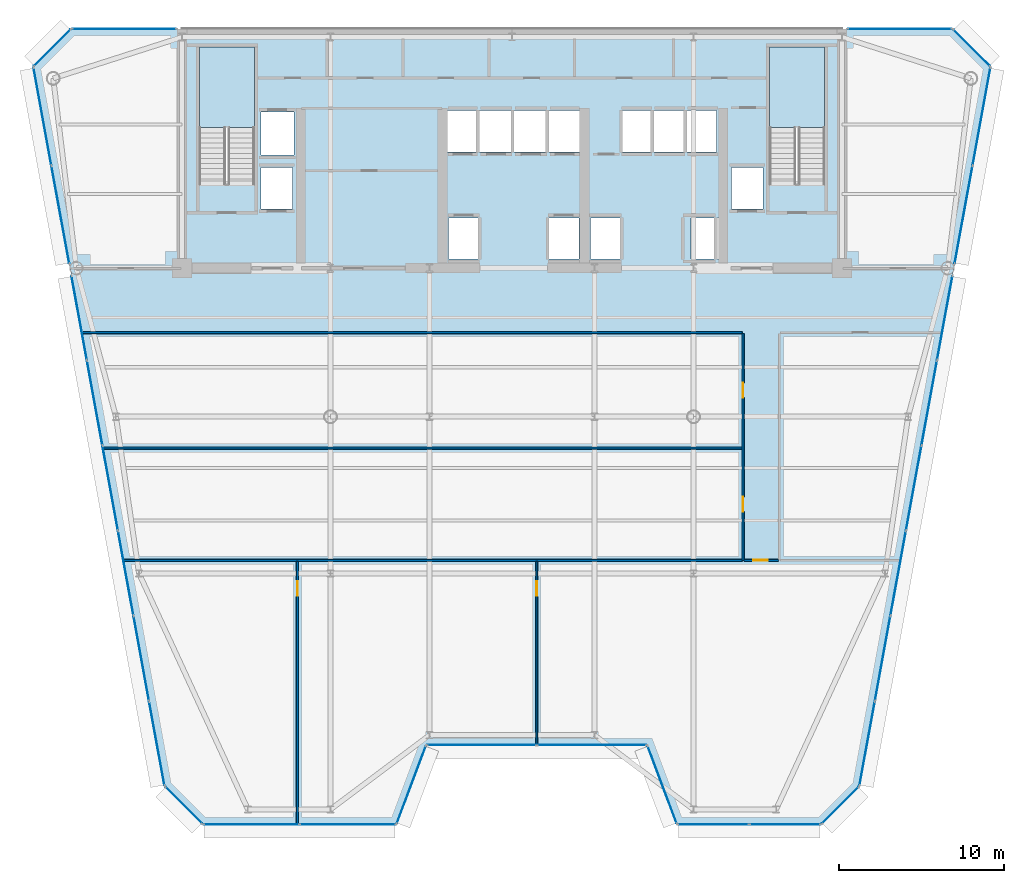
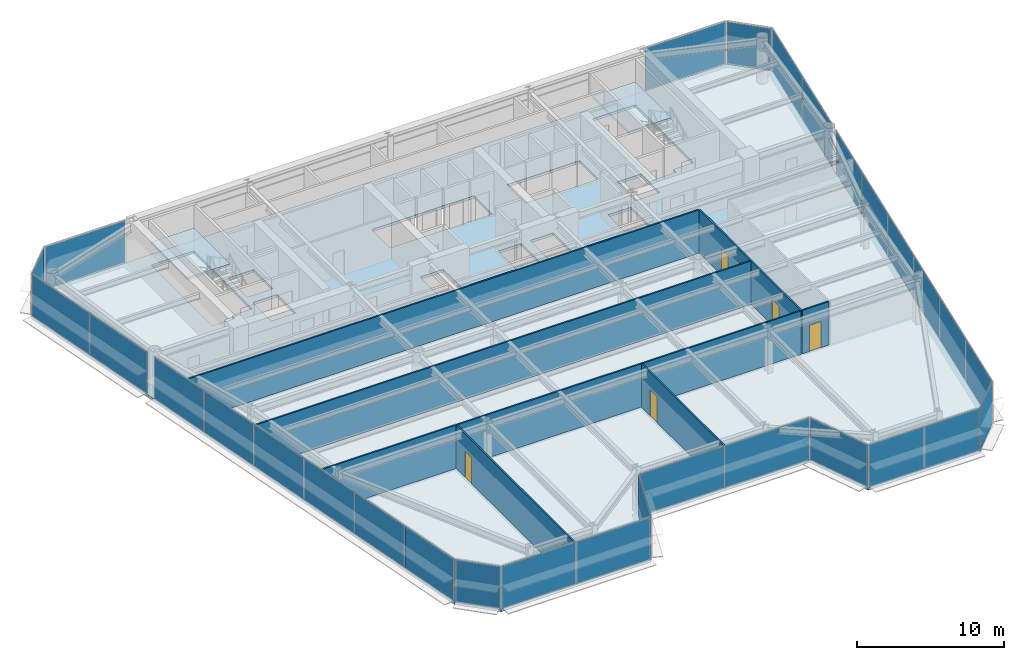
# One storey, part 10 of 17: 30 plates, 7 walls, 5 doors, 3 slabs, 5 openings, 17 elements without a shape of their own.
"""IFC4 building model written with IfcOpenShell, lengths in metres."""

from ifc_helpers import new_model, si_unit, direction, frame, frame_2d, origin, origin_2d, place, context, subcontext, project, spatial, polyline, rectangle, outline, extrude, source, transform, mapped, material, layer, layer_set, type_object, element, fill, aggregate, save


model = new_model("IFC4")

# Units and contexts
model_context = context("Model", 3, precision=1e-05, world=origin(), true_north=direction((0.0, 1.0)))
body_context = subcontext(model_context, "Body", "Model", "MODEL_VIEW")
ifc_project = project(units=[si_unit("LENGTHUNIT", "METRE"), si_unit("AREAUNIT", "SQUARE_METRE"), si_unit("VOLUMEUNIT", "CUBIC_METRE"), si_unit("PLANEANGLEUNIT", "RADIAN"), si_unit("MASSUNIT", "GRAM", prefix="KILO")], contexts=[model_context])

# Site, building, storey
site_placement = place(None, origin())
site = spatial("IfcSite", under=ifc_project, at=site_placement, CompositionType="ELEMENT")
building_placement = place(site_placement, origin())
building = spatial("IfcBuilding", under=site, at=building_placement, Name="Vaeldorn Concourse Tower", CompositionType="ELEMENT")
storey_placement = place(building_placement, frame((0.0, 0.0, 172.800048828125)))
storey = spatial("IfcBuildingStorey", under=building, at=storey_placement, Name="L44", CompositionType="ELEMENT", Elevation=172.800048828125)

# Stair, slab
ifc_material_1 = material(Name="Precast concrete C40/50", Category="concrete")
stair_type = type_object("IfcStairType", Name="STR-DOG-24x158", PredefinedType="HALF_TURN_STAIR", material=ifc_material_1)
stair_1_placement = place(storey_placement, origin())
stair_1 = element("IfcStair", 1, at=stair_1_placement, inside=storey, type_object=stair_type, Name="L44 West Core Exit Stair ST-1", PredefinedType="HALF_TURN_STAIR")
ifc_material_2 = material(Name="Concrete C40/50", Category="concrete")
ifc_layer_1 = layer(ifc_material_2, 0.199951171875)
ifc_layer_set_1 = layer_set([ifc_layer_1], Name="Concrete C40/50")
slab_type_1 = type_object("IfcSlabType", Name="SL-STAIR-LANDING", PredefinedType="LANDING", material=ifc_layer_set_1)
slab_1_placement = place(storey_placement, frame((0.0, 0.0, 1.699951171875)))
slab_1 = element("IfcSlab", 2, at=slab_1_placement, type_object=slab_type_1, Name="ST-1 landing 1", PredefinedType="LANDING", context=body_context, shape_type="SweptSolid", body=[
    extrude(outline(polyline([(18.39990234375, 45.010009765625), (18.39990234375, 49.89990234375), (15.050048828125, 49.89990234375), (15.050048828125, 45.010009765625), (18.39990234375, 45.010009765625)])), origin(), (0.0, 0.0, 1.0), 0.199951171875),
])
aggregate(stair_1, [slab_1])

stair_2_placement = place(storey_placement, origin())
stair_2 = element("IfcStair", 3, at=stair_2_placement, inside=storey, type_object=stair_type, Name="L44 East Core Exit Stair ST-2", PredefinedType="HALF_TURN_STAIR")
slab_2_placement = place(storey_placement, frame((0.0, 0.0, 1.699951171875)))
slab_2 = element("IfcSlab", 4, at=slab_2_placement, type_object=slab_type_1, Name="ST-2 landing 1", PredefinedType="LANDING", context=body_context, shape_type="SweptSolid", body=[
    extrude(outline(polyline([(52.949951171875, 45.010009765625), (52.949951171875, 49.89990234375), (49.60009765625, 49.89990234375), (49.60009765625, 45.010009765625), (52.949951171875, 45.010009765625)])), origin(), (0.0, 0.0, 1.0), 0.199951171875),
])
aggregate(stair_2, [slab_2])

# Slab
ifc_layer_2 = layer(ifc_material_2, 0.219970703125)
ifc_layer_set_2 = layer_set([ifc_layer_2], Name="Concrete C40/50")
slab_type_2 = type_object("IfcSlabType", Name="SL-TYP-220", PredefinedType="FLOOR", material=ifc_layer_set_2)
slab_3_placement = place(storey_placement, frame((0.0, 0.0, -0.219970703125)))
element("IfcSlab", 5, at=slab_3_placement, inside=storey, type_object=slab_type_2, Name="Structural Floor Slab L44", PredefinedType="FLOOR", context=body_context, shape_type="SweptSolid", body=[
    extrude(outline(polyline([(15.2529296875, 2.800048828125), (27.0, 2.800048828125), (28.800048828125, 7.60009765625), (42.199951171875, 7.60009765625), (44.0, 2.800048828125), (52.7470703125, 2.800048828125), (55.047119140625, 5.10009765625), (63.0, 48.699951171875), (60.699951171875, 51.0), (7.300048828125, 51.0), (5.0, 48.699951171875), (12.952880859375, 5.10009765625), (15.2529296875, 2.800048828125)]), holes=[polyline([(18.39990234375, 42.0), (18.39990234375, 49.89990234375), (15.050048828125, 49.89990234375), (15.050048828125, 41.60009765625), (16.800048828125, 41.60009765625), (16.800048828125, 42.0), (18.39990234375, 42.0)]), polyline([(52.949951171875, 42.0), (52.949951171875, 49.89990234375), (49.60009765625, 49.89990234375), (49.60009765625, 41.60009765625), (51.35009765625, 41.60009765625), (51.35009765625, 42.0), (52.949951171875, 42.0)]), polyline([(30.14990234375, 37.050048828125), (31.949951171875, 37.050048828125), (31.949951171875, 39.550048828125), (30.14990234375, 39.550048828125), (30.14990234375, 37.050048828125)]), polyline([(36.25, 37.050048828125), (38.050048828125, 37.050048828125), (38.050048828125, 39.550048828125), (36.25, 39.550048828125), (36.25, 37.050048828125)]), polyline([(30.10009765625, 43.550048828125), (38.10009765625, 43.550048828125), (38.10009765625, 46.050048828125), (30.10009765625, 46.050048828125), (30.10009765625, 43.550048828125)]), polyline([(38.75, 37.050048828125), (40.550048828125, 37.050048828125), (40.550048828125, 39.550048828125), (38.75, 39.550048828125), (38.75, 37.050048828125)]), polyline([(44.85009765625, 37.050048828125), (46.64990234375, 37.050048828125), (46.64990234375, 39.550048828125), (44.85009765625, 39.550048828125), (44.85009765625, 37.050048828125)]), polyline([(40.699951171875, 43.550048828125), (46.39990234375, 43.550048828125), (46.39990234375, 46.050048828125), (40.699951171875, 46.050048828125), (40.699951171875, 43.550048828125)]), polyline([(18.800048828125, 43.35009765625), (20.800048828125, 43.35009765625), (20.800048828125, 45.949951171875), (18.800048828125, 45.949951171875), (18.800048828125, 43.35009765625)]), polyline([(18.800048828125, 40.10009765625), (20.699951171875, 40.10009765625), (20.699951171875, 42.60009765625), (18.800048828125, 42.60009765625), (18.800048828125, 40.10009765625)]), polyline([(47.300048828125, 40.10009765625), (49.199951171875, 40.10009765625), (49.199951171875, 42.60009765625), (47.300048828125, 42.60009765625), (47.300048828125, 40.10009765625)])]), origin(), (0.0, 0.0, 1.0), 0.219970703125),
])

# Curtain wall, plate
ifc_material_3 = material(Name="Anodised Bronze Aluminium", Category="aluminium")
ifc_layer_3 = layer(ifc_material_3, 0.18994140625)
ifc_layer_set_3 = layer_set([ifc_layer_3], Name="Anodised Bronze Aluminium")
curtain_wall_type = type_object("IfcCurtainWallType", Name="CW-SYS-03", PredefinedType="NOTDEFINED", material=ifc_layer_set_3)
curtain_wall_1_placement = place(storey_placement, origin())
curtain_wall_1 = element("IfcCurtainWall", 6, at=curtain_wall_1_placement, inside=storey, type_object=curtain_wall_type, Name="Unitised Curtain Wall CW-L44-E02-1", PredefinedType="NOTDEFINED")
ifc_material_4 = material(Name="Bronze Tinted Low-E Insulated Glass", Category="glass")
ifc_layer_4 = layer(ifc_material_4, 0.031982421875)
ifc_layer_set_4 = layer_set([ifc_layer_4], Name="Bronze Tinted Low-E Insulated Glass")
plate_type = type_object("IfcPlateType", Name="CWP-VISION-32", PredefinedType="CURTAIN_PANEL", material=ifc_layer_set_4)
shared_shape_1 = source(origin(), body_context, "Body", "SweptSolid", [
    extrude(rectangle(XDim=4.996337890625, YDim=0.031982421875, at=origin_2d()), origin(), (0.0, 0.0, 1.0), 3.449951171875),
])
plate_1_placement = place(storey_placement, frame((27.89990234375, 5.199951171875, 0.06494140625), z_axis=(0.0, 0.0, 1.0), x_axis=(0.351123441595, 0.936329177566, 0.0)))
plate_1 = element("IfcPlate", 7, at=plate_1_placement, type_object=plate_type, Name="CW-03 panel 1.1", PredefinedType="CURTAIN_PANEL", context=body_context, shape_type="MappedRepresentation", body=[
    mapped(shared_shape_1, transform((0.0, 0.0, 0.0), scale=1.0)),
])
aggregate(curtain_wall_1, [plate_1])

curtain_wall_2_placement = place(storey_placement, origin())
curtain_wall_2 = element("IfcCurtainWall", 8, at=curtain_wall_2_placement, inside=storey, type_object=curtain_wall_type, Name="Unitised Curtain Wall CW-L44-E04-1", PredefinedType="NOTDEFINED")
plate_2_placement = place(storey_placement, frame((43.10009765625, 5.199951171875, 0.06494140625), z_axis=(0.0, 0.0, 1.0), x_axis=(0.351123441595, -0.936329177566, 0.0)))
plate_2 = element("IfcPlate", 9, at=plate_2_placement, type_object=plate_type, Name="CW-03 panel 1.1", PredefinedType="CURTAIN_PANEL", context=body_context, shape_type="MappedRepresentation", body=[
    mapped(shared_shape_1, transform((0.0, 0.0, 0.0), scale=1.0)),
])
aggregate(curtain_wall_2, [plate_2])

# Curtain wall, plates
curtain_wall_3_placement = place(storey_placement, origin())
curtain_wall_3 = element("IfcCurtainWall", 10, at=curtain_wall_3_placement, inside=storey, type_object=curtain_wall_type, Name="Unitised Curtain Wall CW-L44-E03-1", PredefinedType="NOTDEFINED")
shared_shape_2 = source(origin(), body_context, "Body", "SweptSolid", [
    extrude(rectangle(XDim=6.6025390625, YDim=0.031982421875, at=origin_2d()), origin(), (0.0, 0.0, 1.0), 3.449951171875),
])
plate_3_placement = place(storey_placement, frame((32.166259765625, 7.60009765625, 0.06494140625), z_axis=(0.0, 0.0, 1.0), x_axis=(1.0, 0.0, 0.0)))
plate_3 = element("IfcPlate", 11, at=plate_3_placement, type_object=plate_type, Name="CW-03 panel 1.1", PredefinedType="CURTAIN_PANEL", context=body_context, shape_type="MappedRepresentation", body=[
    mapped(shared_shape_2, transform((0.0, 0.0, 0.0), scale=1.0)),
])
plate_4_placement = place(storey_placement, frame((38.833740234375, 7.60009765625, 0.06494140625), z_axis=(0.0, 0.0, 1.0), x_axis=(1.0, 0.0, 0.0)))
plate_4 = element("IfcPlate", 12, at=plate_4_placement, type_object=plate_type, Name="CW-03 panel 2.1", PredefinedType="CURTAIN_PANEL", context=body_context, shape_type="MappedRepresentation", body=[
    mapped(shared_shape_2, transform((0.0, 0.0, 0.0), scale=1.0)),
])
aggregate(curtain_wall_3, [plate_3, plate_4])

# Curtain wall, plate
curtain_wall_4_placement = place(storey_placement, origin())
curtain_wall_4 = element("IfcCurtainWall", 13, at=curtain_wall_4_placement, inside=storey, type_object=curtain_wall_type, Name="Unitised Curtain Wall CW-L44-E06-1", PredefinedType="NOTDEFINED")
shared_shape_3 = source(origin(), body_context, "Body", "SweptSolid", [
    extrude(rectangle(XDim=3.122802734375, YDim=0.031982421875, at=origin_2d()), origin(), (0.0, 0.0, 1.0), 3.449951171875),
])
plate_5_placement = place(storey_placement, frame((53.89697265625, 3.949951171875, 0.06494140625), z_axis=(0.0, 0.0, 1.0), x_axis=(0.707106781187, 0.707106781187, 0.0)))
plate_5 = element("IfcPlate", 14, at=plate_5_placement, type_object=plate_type, Name="CW-03 panel 1.1", PredefinedType="CURTAIN_PANEL", context=body_context, shape_type="MappedRepresentation", body=[
    mapped(shared_shape_3, transform((0.0, 0.0, 0.0), scale=1.0)),
])
aggregate(curtain_wall_4, [plate_5])

curtain_wall_5_placement = place(storey_placement, origin())
curtain_wall_5 = element("IfcCurtainWall", 15, at=curtain_wall_5_placement, inside=storey, type_object=curtain_wall_type, Name="Unitised Curtain Wall CW-L44-E08-1", PredefinedType="NOTDEFINED")
plate_6_placement = place(storey_placement, frame((61.85009765625, 49.85009765625, 0.06494140625), z_axis=(0.0, 0.0, 1.0), x_axis=(-0.707106781187, 0.707106781187, 0.0)))
plate_6 = element("IfcPlate", 16, at=plate_6_placement, type_object=plate_type, Name="CW-03 panel 1.1", PredefinedType="CURTAIN_PANEL", context=body_context, shape_type="MappedRepresentation", body=[
    mapped(shared_shape_3, transform((0.0, 0.0, 0.0), scale=1.0)),
])
aggregate(curtain_wall_5, [plate_6])

curtain_wall_6_placement = place(storey_placement, origin())
curtain_wall_6 = element("IfcCurtainWall", 17, at=curtain_wall_6_placement, inside=storey, type_object=curtain_wall_type, Name="Unitised Curtain Wall CW-L44-E10-1", PredefinedType="NOTDEFINED")
plate_7_placement = place(storey_placement, frame((6.14990234375, 49.85009765625, 0.06494140625), z_axis=(0.0, 0.0, 1.0), x_axis=(-0.707106781187, -0.707106781187, 0.0)))
plate_7 = element("IfcPlate", 18, at=plate_7_placement, type_object=plate_type, Name="CW-03 panel 1.1", PredefinedType="CURTAIN_PANEL", context=body_context, shape_type="MappedRepresentation", body=[
    mapped(shared_shape_3, transform((0.0, 0.0, 0.0), scale=1.0)),
])
aggregate(curtain_wall_6, [plate_7])

curtain_wall_7_placement = place(storey_placement, origin())
curtain_wall_7 = element("IfcCurtainWall", 19, at=curtain_wall_7_placement, inside=storey, type_object=curtain_wall_type, Name="Unitised Curtain Wall CW-L44-E12-1", PredefinedType="NOTDEFINED")
plate_8_placement = place(storey_placement, frame((14.10302734375, 3.949951171875, 0.06494140625), z_axis=(0.0, 0.0, 1.0), x_axis=(0.707106781187, -0.707106781187, 0.0)))
plate_8 = element("IfcPlate", 20, at=plate_8_placement, type_object=plate_type, Name="CW-03 panel 1.1", PredefinedType="CURTAIN_PANEL", context=body_context, shape_type="MappedRepresentation", body=[
    mapped(shared_shape_3, transform((0.0, 0.0, 0.0), scale=1.0)),
])
aggregate(curtain_wall_7, [plate_8])

# Curtain wall, plates
curtain_wall_8_placement = place(storey_placement, origin())
curtain_wall_8 = element("IfcCurtainWall", 21, at=curtain_wall_8_placement, inside=storey, type_object=curtain_wall_type, Name="Unitised Curtain Wall CW-L44-E01-1", PredefinedType="NOTDEFINED")
shared_shape_4 = source(origin(), body_context, "Body", "SweptSolid", [
    extrude(rectangle(XDim=5.77587890625, YDim=0.031982421875, at=origin_2d()), origin(), (0.0, 0.0, 1.0), 3.449951171875),
])
plate_9_placement = place(storey_placement, frame((18.2060546875, 2.800048828125, 0.06494140625), z_axis=(0.0, 0.0, 1.0), x_axis=(1.0, 0.0, 0.0)))
plate_9 = element("IfcPlate", 22, at=plate_9_placement, type_object=plate_type, Name="CW-03 panel 1.1", PredefinedType="CURTAIN_PANEL", context=body_context, shape_type="MappedRepresentation", body=[
    mapped(shared_shape_4, transform((0.0, 0.0, 0.0), scale=1.0)),
])
plate_10_placement = place(storey_placement, frame((24.047119140625, 2.800048828125, 0.06494140625), z_axis=(0.0, 0.0, 1.0), x_axis=(1.0, 0.0, 0.0)))
plate_10 = element("IfcPlate", 23, at=plate_10_placement, type_object=plate_type, Name="CW-03 panel 2.1", PredefinedType="CURTAIN_PANEL", context=body_context, shape_type="MappedRepresentation", body=[
    mapped(shared_shape_4, transform((0.0, 0.0, 0.0), scale=1.0)),
])
aggregate(curtain_wall_8, [plate_9, plate_10])

curtain_wall_9_placement = place(storey_placement, origin())
curtain_wall_9 = element("IfcCurtainWall", 24, at=curtain_wall_9_placement, inside=storey, type_object=curtain_wall_type, Name="Unitised Curtain Wall CW-L44-E05-1", PredefinedType="NOTDEFINED")
shared_shape_5 = source(origin(), body_context, "Body", "SweptSolid", [
    extrude(rectangle(XDim=4.27587890625, YDim=0.031982421875, at=origin_2d()), origin(), (0.0, 0.0, 1.0), 3.449951171875),
])
plate_11_placement = place(storey_placement, frame((46.202880859375, 2.800048828125, 0.06494140625), z_axis=(0.0, 0.0, 1.0), x_axis=(1.0, 0.0, 0.0)))
plate_11 = element("IfcPlate", 25, at=plate_11_placement, type_object=plate_type, Name="CW-03 panel 1.1", PredefinedType="CURTAIN_PANEL", context=body_context, shape_type="MappedRepresentation", body=[
    mapped(shared_shape_5, transform((0.0, 0.0, 0.0), scale=1.0)),
])
plate_12_placement = place(storey_placement, frame((50.5439453125, 2.800048828125, 0.06494140625), z_axis=(0.0, 0.0, 1.0), x_axis=(1.0, 0.0, 0.0)))
plate_12 = element("IfcPlate", 26, at=plate_12_placement, type_object=plate_type, Name="CW-03 panel 2.1", PredefinedType="CURTAIN_PANEL", context=body_context, shape_type="MappedRepresentation", body=[
    mapped(shared_shape_5, transform((0.0, 0.0, 0.0), scale=1.0)),
])
aggregate(curtain_wall_9, [plate_11, plate_12])

curtain_wall_10_placement = place(storey_placement, origin())
curtain_wall_10 = element("IfcCurtainWall", 27, at=curtain_wall_10_placement, inside=storey, type_object=curtain_wall_type, Name="Unitised Curtain Wall CW-L44-E07-1", PredefinedType="NOTDEFINED")
shared_shape_6 = source(origin(), body_context, "Body", "SweptSolid", [
    extrude(rectangle(XDim=5.151611328125, YDim=0.031982421875, at=origin_2d()), origin(), (0.0, 0.0, 1.0), 3.449951171875),
])
plate_13_placement = place(storey_placement, frame((55.52099609375, 7.697998046875, 0.06494140625), z_axis=(0.0, 0.0, 1.0), x_axis=(0.179445909331, 0.983767841325, 0.0)))
plate_13 = element("IfcPlate", 28, at=plate_13_placement, type_object=plate_type, Name="CW-03 panel 1.1", PredefinedType="CURTAIN_PANEL", context=body_context, shape_type="MappedRepresentation", body=[
    mapped(shared_shape_6, transform((0.0, 0.0, 0.0), scale=1.0)),
])
plate_14_placement = place(storey_placement, frame((60.224609375, 33.485595703125, 0.06494140625), z_axis=(0.0, 0.0, 1.0), x_axis=(0.179445909331, 0.983767841325, 0.0)))
plate_14 = element("IfcPlate", 29, at=plate_14_placement, type_object=plate_type, Name="CW-03 panel 6.1", PredefinedType="CURTAIN_PANEL", context=body_context, shape_type="MappedRepresentation", body=[
    mapped(shared_shape_6, transform((0.0, 0.0, 0.0), scale=1.0)),
])

curtain_wall_11_placement = place(storey_placement, origin())
curtain_wall_11 = element("IfcCurtainWall", 30, at=curtain_wall_11_placement, inside=storey, type_object=curtain_wall_type, Name="Unitised Curtain Wall CW-L44-E11-2", PredefinedType="NOTDEFINED")
plate_15_placement = place(storey_placement, frame((7.775390625, 33.485595703125, 0.06494140625), z_axis=(0.0, 0.0, 1.0), x_axis=(0.179445909331, -0.983767841325, 0.0)))
plate_15 = element("IfcPlate", 31, at=plate_15_placement, type_object=plate_type, Name="CW-03 panel 1.1", PredefinedType="CURTAIN_PANEL", context=body_context, shape_type="MappedRepresentation", body=[
    mapped(shared_shape_6, transform((0.0, 0.0, 0.0), scale=1.0)),
])
plate_16_placement = place(storey_placement, frame((12.47900390625, 7.697998046875, 0.06494140625), z_axis=(0.0, 0.0, 1.0), x_axis=(0.179445909331, -0.983767841325, 0.0)))
plate_16 = element("IfcPlate", 32, at=plate_16_placement, type_object=plate_type, Name="CW-03 panel 6.1", PredefinedType="CURTAIN_PANEL", context=body_context, shape_type="MappedRepresentation", body=[
    mapped(shared_shape_6, transform((0.0, 0.0, 0.0), scale=1.0)),
])

# Plate
shared_shape_7 = source(origin(), body_context, "Body", "SweptSolid", [
    extrude(rectangle(XDim=5.18408203125, YDim=0.031982421875, at=origin_2d()), origin(), (0.0, 0.0, 1.0), 3.449951171875),
])
plate_17_placement = place(storey_placement, frame((56.4599609375, 12.845947265625, 0.06494140625), z_axis=(0.0, 0.0, 1.0), x_axis=(0.179445909331, 0.983767841325, 0.0)))
plate_17 = element("IfcPlate", 33, at=plate_17_placement, type_object=plate_type, Name="CW-03 panel 2.1", PredefinedType="CURTAIN_PANEL", context=body_context, shape_type="MappedRepresentation", body=[
    mapped(shared_shape_7, transform((0.0, 0.0, 0.0), scale=1.0)),
])

plate_18_placement = place(storey_placement, frame((57.40185546875, 18.009765625, 0.06494140625), z_axis=(0.0, 0.0, 1.0), x_axis=(0.179445909331, 0.983767841325, 0.0)))
plate_18 = element("IfcPlate", 34, at=plate_18_placement, type_object=plate_type, Name="CW-03 panel 3.1", PredefinedType="CURTAIN_PANEL", context=body_context, shape_type="MappedRepresentation", body=[
    mapped(shared_shape_7, transform((0.0, 0.0, 0.0), scale=1.0)),
])

plate_19_placement = place(storey_placement, frame((58.34375, 23.173828125, 0.06494140625), z_axis=(0.0, 0.0, 1.0), x_axis=(0.179445909331, 0.983767841325, 0.0)))
plate_19 = element("IfcPlate", 35, at=plate_19_placement, type_object=plate_type, Name="CW-03 panel 4.1", PredefinedType="CURTAIN_PANEL", context=body_context, shape_type="MappedRepresentation", body=[
    mapped(shared_shape_7, transform((0.0, 0.0, 0.0), scale=1.0)),
])

plate_20_placement = place(storey_placement, frame((59.28564453125, 28.337646484375, 0.06494140625), z_axis=(0.0, 0.0, 1.0), x_axis=(0.179445909331, 0.983767841325, 0.0)))
plate_20 = element("IfcPlate", 36, at=plate_20_placement, type_object=plate_type, Name="CW-03 panel 5.1", PredefinedType="CURTAIN_PANEL", context=body_context, shape_type="MappedRepresentation", body=[
    mapped(shared_shape_7, transform((0.0, 0.0, 0.0), scale=1.0)),
])

aggregate(curtain_wall_10, [plate_13, plate_17, plate_18, plate_19, plate_20, plate_14])

plate_21_placement = place(storey_placement, frame((8.71435546875, 28.337646484375, 0.06494140625), z_axis=(0.0, 0.0, 1.0), x_axis=(0.179445909331, -0.983767841325, 0.0)))
plate_21 = element("IfcPlate", 37, at=plate_21_placement, type_object=plate_type, Name="CW-03 panel 2.1", PredefinedType="CURTAIN_PANEL", context=body_context, shape_type="MappedRepresentation", body=[
    mapped(shared_shape_7, transform((0.0, 0.0, 0.0), scale=1.0)),
])

plate_22_placement = place(storey_placement, frame((9.65625, 23.173828125, 0.06494140625), z_axis=(0.0, 0.0, 1.0), x_axis=(0.179445909331, -0.983767841325, 0.0)))
plate_22 = element("IfcPlate", 38, at=plate_22_placement, type_object=plate_type, Name="CW-03 panel 3.1", PredefinedType="CURTAIN_PANEL", context=body_context, shape_type="MappedRepresentation", body=[
    mapped(shared_shape_7, transform((0.0, 0.0, 0.0), scale=1.0)),
])

plate_23_placement = place(storey_placement, frame((10.59814453125, 18.009765625, 0.06494140625), z_axis=(0.0, 0.0, 1.0), x_axis=(0.179445909331, -0.983767841325, 0.0)))
plate_23 = element("IfcPlate", 39, at=plate_23_placement, type_object=plate_type, Name="CW-03 panel 4.1", PredefinedType="CURTAIN_PANEL", context=body_context, shape_type="MappedRepresentation", body=[
    mapped(shared_shape_7, transform((0.0, 0.0, 0.0), scale=1.0)),
])

plate_24_placement = place(storey_placement, frame((11.5400390625, 12.845947265625, 0.06494140625), z_axis=(0.0, 0.0, 1.0), x_axis=(0.179445909331, -0.983767841325, 0.0)))
plate_24 = element("IfcPlate", 40, at=plate_24_placement, type_object=plate_type, Name="CW-03 panel 5.1", PredefinedType="CURTAIN_PANEL", context=body_context, shape_type="MappedRepresentation", body=[
    mapped(shared_shape_7, transform((0.0, 0.0, 0.0), scale=1.0)),
])

aggregate(curtain_wall_11, [plate_15, plate_21, plate_22, plate_23, plate_24, plate_16])

# Curtain wall, plates
curtain_wall_12_placement = place(storey_placement, origin())
curtain_wall_12 = element("IfcCurtainWall", 41, at=curtain_wall_12_placement, inside=storey, type_object=curtain_wall_type, Name="Unitised Curtain Wall CW-L44-E07-2", PredefinedType="NOTDEFINED")
shared_shape_8 = source(origin(), body_context, "Body", "SweptSolid", [
    extrude(rectangle(XDim=5.986572265625, YDim=0.031982421875, at=origin_2d()), origin(), (0.0, 0.0, 1.0), 3.449951171875),
])
plate_25_placement = place(storey_placement, frame((61.365234375, 39.73828125, 0.06494140625), z_axis=(0.0, 0.0, 1.0), x_axis=(0.179447345892, 0.983767579285, 0.0)))
plate_25 = element("IfcPlate", 42, at=plate_25_placement, type_object=plate_type, Name="CW-03 panel 1.1", PredefinedType="CURTAIN_PANEL", context=body_context, shape_type="MappedRepresentation", body=[
    mapped(shared_shape_8, transform((0.0, 0.0, 0.0), scale=1.0)),
])
plate_26_placement = place(storey_placement, frame((62.451171875, 45.69140625, 0.06494140625), z_axis=(0.0, 0.0, 1.0), x_axis=(0.179447345892, 0.983767579285, 0.0)))
plate_26 = element("IfcPlate", 43, at=plate_26_placement, type_object=plate_type, Name="CW-03 panel 2.1", PredefinedType="CURTAIN_PANEL", context=body_context, shape_type="MappedRepresentation", body=[
    mapped(shared_shape_8, transform((0.0, 0.0, 0.0), scale=1.0)),
])
aggregate(curtain_wall_12, [plate_25, plate_26])

curtain_wall_13_placement = place(storey_placement, origin())
curtain_wall_13 = element("IfcCurtainWall", 44, at=curtain_wall_13_placement, inside=storey, type_object=curtain_wall_type, Name="Unitised Curtain Wall CW-L44-E11-1", PredefinedType="NOTDEFINED")
plate_27_placement = place(storey_placement, frame((5.548828125, 45.69140625, 0.06494140625), z_axis=(0.0, 0.0, 1.0), x_axis=(0.179447345892, -0.983767579285, 0.0)))
plate_27 = element("IfcPlate", 45, at=plate_27_placement, type_object=plate_type, Name="CW-03 panel 1.1", PredefinedType="CURTAIN_PANEL", context=body_context, shape_type="MappedRepresentation", body=[
    mapped(shared_shape_8, transform((0.0, 0.0, 0.0), scale=1.0)),
])
plate_28_placement = place(storey_placement, frame((6.634765625, 39.73828125, 0.06494140625), z_axis=(0.0, 0.0, 1.0), x_axis=(0.179447345892, -0.983767579285, 0.0)))
plate_28 = element("IfcPlate", 46, at=plate_28_placement, type_object=plate_type, Name="CW-03 panel 2.1", PredefinedType="CURTAIN_PANEL", context=body_context, shape_type="MappedRepresentation", body=[
    mapped(shared_shape_8, transform((0.0, 0.0, 0.0), scale=1.0)),
])
aggregate(curtain_wall_13, [plate_27, plate_28])

# Curtain wall, plate
curtain_wall_14_placement = place(storey_placement, origin())
curtain_wall_14 = element("IfcCurtainWall", 47, at=curtain_wall_14_placement, inside=storey, type_object=curtain_wall_type, Name="Unitised Curtain Wall CW-L44-E09-1", PredefinedType="NOTDEFINED")
shared_shape_9 = source(origin(), body_context, "Body", "SweptSolid", [
    extrude(rectangle(XDim=6.27490234375, YDim=0.031982421875, at=origin_2d()), origin(), (0.0, 0.0, 1.0), 3.449951171875),
])
plate_29_placement = place(storey_placement, frame((57.49755859375, 51.0, 0.06494140625), z_axis=(0.0, 0.0, 1.0), x_axis=(-1.0, 0.0, 0.0)))
plate_29 = element("IfcPlate", 48, at=plate_29_placement, type_object=plate_type, Name="CW-03 panel 1.1", PredefinedType="CURTAIN_PANEL", context=body_context, shape_type="MappedRepresentation", body=[
    mapped(shared_shape_9, transform((0.0, 0.0, 0.0), scale=1.0)),
])
aggregate(curtain_wall_14, [plate_29])

curtain_wall_15_placement = place(storey_placement, origin())
curtain_wall_15 = element("IfcCurtainWall", 49, at=curtain_wall_15_placement, inside=storey, type_object=curtain_wall_type, Name="Unitised Curtain Wall CW-L44-E09-2", PredefinedType="NOTDEFINED")
plate_30_placement = place(storey_placement, frame((10.50244140625, 51.0, 0.06494140625), z_axis=(0.0, 0.0, 1.0), x_axis=(-1.0, 0.0, 0.0)))
plate_30 = element("IfcPlate", 50, at=plate_30_placement, type_object=plate_type, Name="CW-03 panel 1.1", PredefinedType="CURTAIN_PANEL", context=body_context, shape_type="MappedRepresentation", body=[
    mapped(shared_shape_9, transform((0.0, 0.0, 0.0), scale=1.0)),
])
aggregate(curtain_wall_15, [plate_30])

# Wall
ifc_material_5 = material(Name="Gypsum Board Partition", Category="gypsum")
ifc_layer_5 = layer(ifc_material_5, 0.1201171875)
ifc_layer_set_5 = layer_set([ifc_layer_5], Name="Gypsum Board Partition")
wall_type = type_object("IfcWallType", Name="WL-PART-120", PredefinedType="PARTITIONING", material=ifc_layer_set_5)
wall_1_placement = place(storey_placement, frame((7.976806640625, 32.60009765625, 0.0), z_axis=(0.0, 0.0, 1.0), x_axis=(1.0, 0.0, 0.0)))
element("IfcWall", 51, at=wall_1_placement, inside=storey, type_object=wall_type, Name="Interior Wall PW-L44-C2SW", PredefinedType="PARTITIONING", context=body_context, shape_type="SweptSolid", body=[
    extrude(rectangle(XDim=39.963134765625, YDim=0.1201171875, at=frame_2d((19.9814453125, 0.0))), origin(), (0.0, 0.0, 1.0), 3.579833984375),
])

# Wall, openings, doors
wall_2_placement = place(storey_placement, frame((48.0, 18.800048828125, 0.0), z_axis=(0.0, 0.0, 1.0), x_axis=(0.0, 1.0, 0.0)))
wall_2 = element("IfcWall", 52, at=wall_2_placement, inside=storey, type_object=wall_type, Name="Interior Wall PW-L44-SP2W", PredefinedType="PARTITIONING", context=body_context, shape_type="SweptSolid", body=[
    extrude(rectangle(XDim=13.739990234375, YDim=0.1201171875, at=frame_2d((6.8701171875, 0.0))), origin(), (0.0, 0.0, 1.0), 3.579833984375),
])
opening_1_placement = place(wall_2_placement, frame((2.949951171875, 0.0, 0.0)))
opening_1 = element("IfcOpeningElement", 53, at=opening_1_placement, cuts=wall_2, Name="Opening D-03", PredefinedType="OPENING", context=body_context, shape_type="SweptSolid", body=[
    extrude(rectangle(XDim=0.89990234375, YDim=2.14990234375, at=frame_2d((0.449951171875, 1.074951171875))), frame((0.0, 0.070068359375, 0.0), z_axis=(0.0, -1.0, 0.0), x_axis=(1.0, 0.0, 0.0)), (0.0, 0.0, 1.0), 0.14013671875),
])
opening_2_placement = place(wall_2_placement, frame((9.85009765625, 0.0, 0.0)))
opening_2 = element("IfcOpeningElement", 54, at=opening_2_placement, cuts=wall_2, Name="Opening D-03", PredefinedType="OPENING", context=body_context, shape_type="SweptSolid", body=[
    extrude(rectangle(XDim=0.89990234375, YDim=2.14990234375, at=frame_2d((0.449951171875, 1.074951171875))), frame((0.0, 0.070068359375, 0.0), z_axis=(0.0, -1.0, 0.0), x_axis=(1.0, 0.0, 0.0)), (0.0, 0.0, 1.0), 0.14013671875),
])
ifc_material_6 = material(Name="Acoustic Bronze-Framed Glass Door", Category="glass")
door_type = type_object("IfcDoorType", Name="DR-INT-900", OperationType="NOTDEFINED", PredefinedType="DOOR", material=ifc_material_6)
shared_shape_10 = source(origin(), body_context, "Body", "SweptSolid", [
    extrude(rectangle(XDim=0.89990234375, YDim=2.14990234375, at=frame_2d((0.449951171875, 1.074951171875))), frame((0.0, 0.02490234375, 0.0), z_axis=(0.0, -1.0, 0.0), x_axis=(1.0, 0.0, 0.0)), (0.0, 0.0, 1.0), 0.050048828125),
])
door_1_placement = place(opening_1_placement, origin())
door_1 = element("IfcDoor", 55, at=door_1_placement, inside=storey, type_object=door_type, Name="Interior Door DR-L44-Z2W1", OperationType="SINGLE_SWING_LEFT", OverallHeight=2.14990234375, OverallWidth=0.89990234375, PredefinedType="DOOR", context=body_context, shape_type="MappedRepresentation", body=[
    mapped(shared_shape_10, transform((0.0, 0.0, 0.0), scale=1.0)),
])
fill(opening_1, door_1)
door_2_placement = place(opening_2_placement, origin())
door_2 = element("IfcDoor", 56, at=door_2_placement, inside=storey, type_object=door_type, Name="Interior Door DR-L44-Z2W2", OperationType="SINGLE_SWING_RIGHT", OverallHeight=2.14990234375, OverallWidth=0.89990234375, PredefinedType="DOOR", context=body_context, shape_type="MappedRepresentation", body=[
    mapped(shared_shape_10, transform((0.0, 0.0, 0.0), scale=1.0)),
])
fill(opening_2, door_2)

# Wall, opening, door
wall_3_placement = place(storey_placement, frame((48.06005859375, 18.800048828125, 0.0), z_axis=(0.0, 0.0, 1.0), x_axis=(1.0, 0.0, 0.0)))
wall_3 = element("IfcWall", 57, at=wall_3_placement, inside=storey, type_object=wall_type, Name="Interior Wall PW-L44-SP2S", PredefinedType="PARTITIONING", context=body_context, shape_type="SweptSolid", body=[
    extrude(rectangle(XDim=2.079833984375, YDim=0.1201171875, at=frame_2d((1.0400390625, 0.0))), origin(), (0.0, 0.0, 1.0), 3.579833984375),
])
opening_3_placement = place(wall_3_placement, frame((0.550048828125, 0.0, 0.0)))
opening_3 = element("IfcOpeningElement", 58, at=opening_3_placement, cuts=wall_3, Name="Opening D-03", PredefinedType="OPENING", context=body_context, shape_type="SweptSolid", body=[
    extrude(rectangle(XDim=0.89990234375, YDim=2.14990234375, at=frame_2d((0.449951171875, 1.074951171875))), frame((0.0, 0.070068359375, 0.0), z_axis=(0.0, -1.0, 0.0), x_axis=(1.0, 0.0, 0.0)), (0.0, 0.0, 1.0), 0.14013671875),
])
door_3_placement = place(opening_3_placement, origin())
door_3 = element("IfcDoor", 59, at=door_3_placement, inside=storey, type_object=door_type, Name="Interior Door DR-L44-Z2SFM", OperationType="SINGLE_SWING_LEFT", OverallHeight=2.14990234375, OverallWidth=0.89990234375, PredefinedType="DOOR", context=body_context, shape_type="MappedRepresentation", body=[
    mapped(shared_shape_10, transform((0.0, 0.0, 0.0), scale=1.0)),
])
fill(opening_3, door_3)

# Wall
wall_4_placement = place(storey_placement, frame((10.493896484375, 18.800048828125, 0.0), z_axis=(0.0, 0.0, 1.0), x_axis=(1.0, 0.0, 0.0)))
element("IfcWall", 60, at=wall_4_placement, inside=storey, type_object=wall_type, Name="Interior Wall PW-L44-S2WL", PredefinedType="PARTITIONING", context=body_context, shape_type="SweptSolid", body=[
    extrude(rectangle(XDim=37.446044921875, YDim=0.1201171875, at=frame_2d((18.72314453125, 0.0))), origin(), (0.0, 0.0, 1.0), 3.579833984375),
])

# Wall, opening, door
wall_5_placement = place(storey_placement, frame((21.0, 2.840087890625, 0.0), z_axis=(0.0, 0.0, 1.0), x_axis=(0.0, 1.0, 0.0)))
wall_5 = element("IfcWall", 61, at=wall_5_placement, inside=storey, type_object=wall_type, Name="Interior Wall PW-L44-Z2SFX1", PredefinedType="PARTITIONING", context=body_context, shape_type="SweptSolid", body=[
    extrude(rectangle(XDim=15.89990234375, YDim=0.1201171875, at=frame_2d((7.949951171875, 0.0))), origin(), (0.0, 0.0, 1.0), 3.579833984375),
])
opening_4_placement = place(wall_5_placement, frame((13.800048828125, 0.0, 0.0)))
opening_4 = element("IfcOpeningElement", 62, at=opening_4_placement, cuts=wall_5, Name="Opening D-03", PredefinedType="OPENING", context=body_context, shape_type="SweptSolid", body=[
    extrude(rectangle(XDim=0.89990234375, YDim=2.14990234375, at=frame_2d((0.449951171875, 1.074951171875))), frame((0.0, 0.070068359375, 0.0), z_axis=(0.0, -1.0, 0.0), x_axis=(1.0, 0.0, 0.0)), (0.0, 0.0, 1.0), 0.14013671875),
])
door_4_placement = place(opening_4_placement, origin())
door_4 = element("IfcDoor", 63, at=door_4_placement, inside=storey, type_object=door_type, Name="Interior Door DR-L44-Z2SFX1", OperationType="SINGLE_SWING_RIGHT", OverallHeight=2.14990234375, OverallWidth=0.89990234375, PredefinedType="DOOR", context=body_context, shape_type="MappedRepresentation", body=[
    mapped(shared_shape_10, transform((0.0, 0.0, 0.0), scale=1.0)),
])
fill(opening_4, door_4)

wall_6_placement = place(storey_placement, frame((35.5, 7.639892578125, 0.0), z_axis=(0.0, 0.0, 1.0), x_axis=(0.0, 1.0, 0.0)))
wall_6 = element("IfcWall", 64, at=wall_6_placement, inside=storey, type_object=wall_type, Name="Interior Wall PW-L44-Z2SFX2", PredefinedType="PARTITIONING", context=body_context, shape_type="SweptSolid", body=[
    extrude(rectangle(XDim=11.10009765625, YDim=0.1201171875, at=frame_2d((5.550048828125, 0.0))), origin(), (0.0, 0.0, 1.0), 3.579833984375),
])
opening_5_placement = place(wall_6_placement, frame((9.0, 0.0, 0.0)))
opening_5 = element("IfcOpeningElement", 65, at=opening_5_placement, cuts=wall_6, Name="Opening D-03", PredefinedType="OPENING", context=body_context, shape_type="SweptSolid", body=[
    extrude(rectangle(XDim=0.89990234375, YDim=2.14990234375, at=frame_2d((0.449951171875, 1.074951171875))), frame((0.0, 0.070068359375, 0.0), z_axis=(0.0, -1.0, 0.0), x_axis=(1.0, 0.0, 0.0)), (0.0, 0.0, 1.0), 0.14013671875),
])
door_5_placement = place(opening_5_placement, origin())
door_5 = element("IfcDoor", 66, at=door_5_placement, inside=storey, type_object=door_type, Name="Interior Door DR-L44-Z2SFX2", OperationType="SINGLE_SWING_LEFT", OverallHeight=2.14990234375, OverallWidth=0.89990234375, PredefinedType="DOOR", context=body_context, shape_type="MappedRepresentation", body=[
    mapped(shared_shape_10, transform((0.0, 0.0, 0.0), scale=1.0)),
])
fill(opening_5, door_5)

# Wall
wall_7_placement = place(storey_placement, frame((9.253662109375, 25.60009765625, 0.0), z_axis=(0.0, 0.0, 1.0), x_axis=(1.0, 0.0, 0.0)))
element("IfcWall", 67, at=wall_7_placement, inside=storey, type_object=wall_type, Name="Interior Wall PW-L44-Z2WY1", PredefinedType="PARTITIONING", context=body_context, shape_type="SweptSolid", body=[
    extrude(rectangle(XDim=38.686279296875, YDim=0.1201171875, at=frame_2d((19.34326171875, 0.0))), origin(), (0.0, 0.0, 1.0), 3.579833984375),
])

save(model, "model.ifc")
